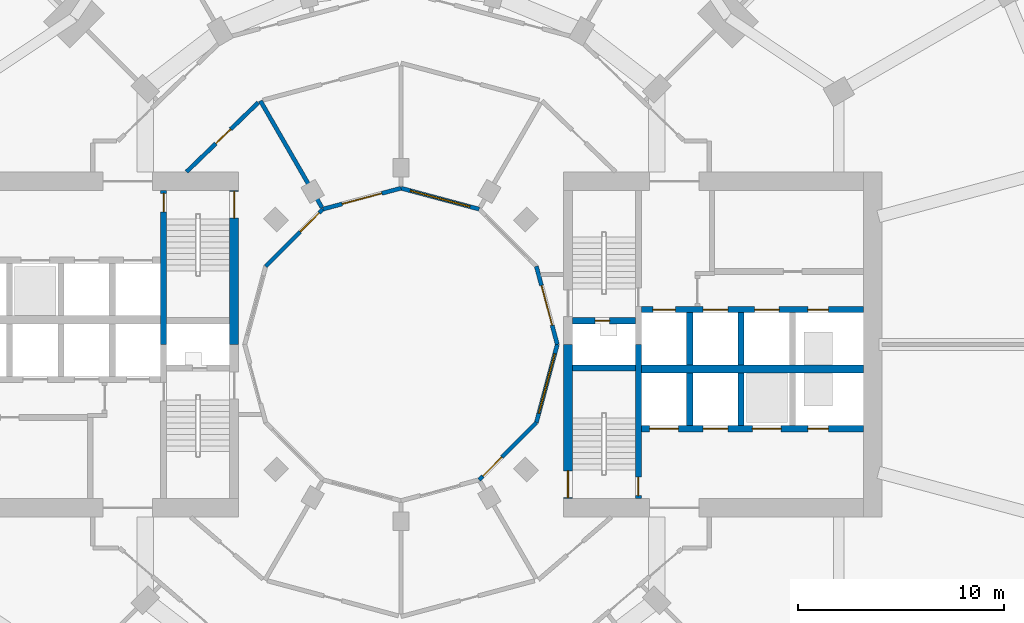
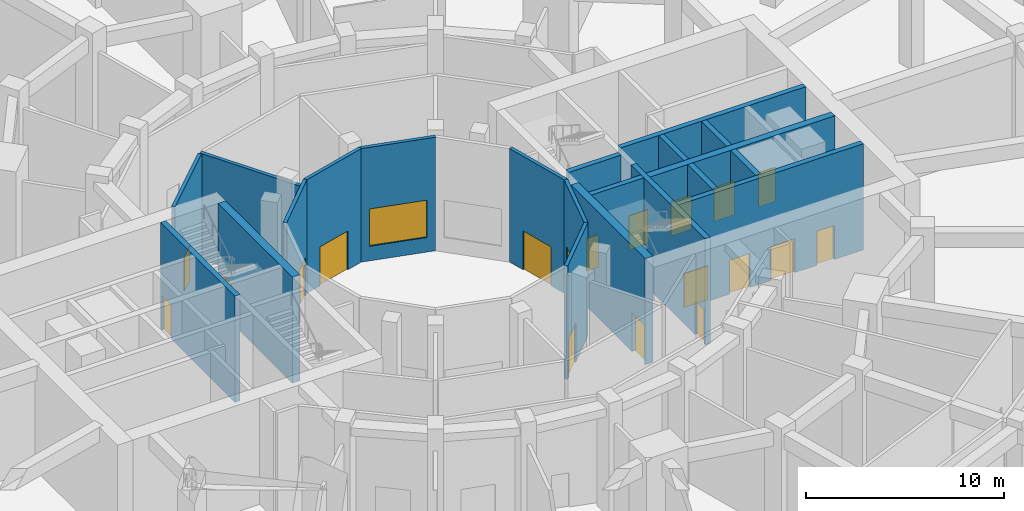
# One storey, part 26 of 31: 21 walls, 18 doors, 2 windows, 20 openings.
"""IFC4 building model written with IfcOpenShell, lengths in metres."""

from ifc_helpers import new_model, si_unit, direction, frame, frame_2d, origin, place, context, subcontext, project, spatial, rectangle, extrude, material, layer, layer_set, type_object, element, fill, save


model = new_model("IFC4")

# Units and contexts
model_context = context("Model", 3, precision=1e-05, world=origin(), true_north=direction((0.0, 1.0)))
body_context = subcontext(model_context, "Body", "Model", "MODEL_VIEW")
ifc_project = project(units=[si_unit("LENGTHUNIT", "METRE"), si_unit("AREAUNIT", "SQUARE_METRE"), si_unit("VOLUMEUNIT", "CUBIC_METRE"), si_unit("PLANEANGLEUNIT", "RADIAN"), si_unit("MASSUNIT", "GRAM", prefix="KILO")], contexts=[model_context])

# Site, building, storey
site_placement = place(None, origin())
site = spatial("IfcSite", under=ifc_project, at=site_placement, CompositionType="ELEMENT")
building_placement = place(site_placement, origin())
building = spatial("IfcBuilding", under=site, at=building_placement, Name="Torre Brocal", CompositionType="ELEMENT")
storey_placement = place(building_placement, origin())
storey = spatial("IfcBuildingStorey", under=building, at=storey_placement, Name="L00", CompositionType="ELEMENT", Elevation=0.0)

# Wall, opening, door
ifc_material_1 = material(Name="Concrete C80", Category="concrete")
ifc_layer_1 = layer(ifc_material_1, 0.300048828125)
ifc_layer_set_1 = layer_set([ifc_layer_1], Name="Concrete C80")
wall_type_1 = type_object("IfcWallType", Name="CORE WALL 300 C80 UNDER 450 SLAB", PredefinedType="SHEAR", material=ifc_layer_set_1)
wall_1_placement = place(storey_placement, frame((91.550048828125, 67.5, 0.0), z_axis=(0.0, 0.0, 1.0), x_axis=(0.0, 1.0, 0.0)))
wall_1 = element("IfcWall", 1, at=wall_1_placement, inside=storey, type_object=wall_type_1, Name="Wall CW300-80-S450", PredefinedType="SHEAR", context=body_context, shape_type="SweptSolid", body=[
    extrude(rectangle(XDim=7.5, YDim=0.300048828125, at=frame_2d((3.75, 0.0))), origin(), (0.0, 0.0, 1.0), 6.550048828125),
])
opening_1_placement = place(wall_1_placement, frame((0.14990234375, 0.0, 0.0)))
opening_1 = element("IfcOpeningElement", 2, at=opening_1_placement, cuts=wall_1, Name="Opening E-D03", PredefinedType="OPENING", context=body_context, shape_type="SweptSolid", body=[
    extrude(rectangle(XDim=0.89990234375, YDim=2.10009765625, at=frame_2d((0.449951171875, 1.050048828125))), frame((0.0, 0.159912109375, 0.0), z_axis=(0.0, -1.0, 0.0), x_axis=(1.0, 0.0, 0.0)), (0.0, 0.0, 1.0), 0.320068359375),
])
ifc_material_2 = material(Name="Steel A653", Category="steel")
door_type_1 = type_object("IfcDoorType", Name="STAIR DOOR FD120 900X2100", OperationType="SINGLE_SWING_RIGHT", PredefinedType="DOOR", material=ifc_material_2)
door_1_placement = place(opening_1_placement, origin())
door_1 = element("IfcDoor", 3, at=door_1_placement, inside=storey, type_object=door_type_1, Name="Door E-D03", OperationType="SINGLE_SWING_LEFT", OverallHeight=2.10009765625, OverallWidth=0.89990234375, PredefinedType="DOOR", context=body_context, shape_type="SweptSolid", body=[
    extrude(rectangle(XDim=0.89990234375, YDim=2.10009765625, at=frame_2d((0.449951171875, 1.050048828125))), frame((0.0, 0.02490234375, 0.0), z_axis=(0.0, -1.0, 0.0), x_axis=(1.0, 0.0, 0.0)), (0.0, 0.0, 1.0), 0.050048828125),
])
fill(opening_1, door_1)

wall_2_placement = place(storey_placement, frame((88.35009765625, 76.14990234375, 0.0), z_axis=(0.0, 0.0, 1.0), x_axis=(1.0, 0.0, 0.0)))
wall_2 = element("IfcWall", 4, at=wall_2_placement, inside=storey, type_object=wall_type_1, Name="Wall CW300-80-S450", PredefinedType="SHEAR", context=body_context, shape_type="SweptSolid", body=[
    extrude(rectangle(XDim=3.0498046875, YDim=0.300048828125, at=frame_2d((1.52490234375, 0.0))), origin(), (0.0, 0.0, 1.0), 6.550048828125),
])
opening_2_placement = place(wall_2_placement, frame((1.10009765625, 0.0, 0.0)))
opening_2 = element("IfcOpeningElement", 5, at=opening_2_placement, cuts=wall_2, Name="Opening E-D01", PredefinedType="OPENING", context=body_context, shape_type="SweptSolid", body=[
    extrude(rectangle(XDim=0.699951171875, YDim=2.0, at=frame_2d((0.35009765625, 1.0))), frame((0.0, 0.159912109375, 0.0), z_axis=(0.0, -1.0, 0.0), x_axis=(1.0, 0.0, 0.0)), (0.0, 0.0, 1.0), 0.320068359375),
])
ifc_material_3 = material(Name="Steel A653", Category="steel")
door_type_2 = type_object("IfcDoorType", Name="RISER DOOR FD120 700X2000", OperationType="SINGLE_SWING_LEFT", PredefinedType="DOOR", material=ifc_material_3)
door_2_placement = place(opening_2_placement, frame((0.699951171875, 0.0, 0.0), z_axis=(0.0, 0.0, 1.0), x_axis=(-1.0, 0.0, 0.0)))
door_2 = element("IfcDoor", 6, at=door_2_placement, inside=storey, type_object=door_type_2, Name="Door E-D01", OperationType="SINGLE_SWING_RIGHT", OverallHeight=2.0, OverallWidth=0.699951171875, PredefinedType="DOOR", context=body_context, shape_type="SweptSolid", body=[
    extrude(rectangle(XDim=0.699951171875, YDim=2.0, at=frame_2d((0.35009765625, 1.0))), frame((0.0, 0.02490234375, 0.0), z_axis=(0.0, -1.0, 0.0), x_axis=(1.0, 0.0, 0.0)), (0.0, 0.0, 1.0), 0.050048828125),
])
fill(opening_2, door_2)

# Wall
wall_3_placement = place(storey_placement, frame((88.35009765625, 73.85009765625, 0.0), z_axis=(0.0, 0.0, 1.0), x_axis=(1.0, 0.0, 0.0)))
element("IfcWall", 7, at=wall_3_placement, inside=storey, type_object=wall_type_1, Name="Wall CW300-80-S450", PredefinedType="SHEAR", context=body_context, shape_type="SweptSolid", body=[
    extrude(rectangle(XDim=3.0498046875, YDim=0.300048828125, at=frame_2d((1.52490234375, 0.0))), origin(), (0.0, 0.0, 1.0), 6.550048828125),
])

# Wall, openings, doors
wall_4_placement = place(storey_placement, frame((91.699951171875, 76.699951171875, 0.0), z_axis=(0.0, 0.0, 1.0), x_axis=(1.0, 0.0, 0.0)))
wall_4 = element("IfcWall", 8, at=wall_4_placement, inside=storey, type_object=wall_type_1, Name="Wall CW300-80-S450", PredefinedType="SHEAR", context=body_context, shape_type="SweptSolid", body=[
    extrude(rectangle(XDim=10.800048828125, YDim=0.300048828125, at=frame_2d((5.39990234375, 0.0))), origin(), (0.0, 0.0, 1.0), 6.550048828125),
])
opening_3_placement = place(wall_4_placement, frame((0.550048828125, 0.0, 0.0)))
opening_3 = element("IfcOpeningElement", 9, at=opening_3_placement, cuts=wall_4, Name="Opening LD", PredefinedType="OPENING", context=body_context, shape_type="SweptSolid", body=[
    extrude(rectangle(XDim=1.10009765625, YDim=2.10009765625, at=frame_2d((0.550048828125, 1.050048828125))), frame((0.0, 0.159912109375, 0.0), z_axis=(0.0, -1.0, 0.0), x_axis=(1.0, 0.0, 0.0)), (0.0, 0.0, 1.0), 0.320068359375),
])
opening_4_placement = place(wall_4_placement, frame((3.0, 0.0, 0.0)))
opening_4 = element("IfcOpeningElement", 10, at=opening_4_placement, cuts=wall_4, Name="Opening LD12", PredefinedType="OPENING", context=body_context, shape_type="SweptSolid", body=[
    extrude(rectangle(XDim=1.199951171875, YDim=2.10009765625, at=frame_2d((0.60009765625, 1.050048828125))), frame((0.0, 0.159912109375, 0.0), z_axis=(0.0, -1.0, 0.0), x_axis=(1.0, 0.0, 0.0)), (0.0, 0.0, 1.0), 0.320068359375),
])
opening_5_placement = place(wall_4_placement, frame((5.5, 0.0, 0.0)))
opening_5 = element("IfcOpeningElement", 11, at=opening_5_placement, cuts=wall_4, Name="Opening LD12", PredefinedType="OPENING", context=body_context, shape_type="SweptSolid", body=[
    extrude(rectangle(XDim=1.199951171875, YDim=2.10009765625, at=frame_2d((0.60009765625, 1.050048828125))), frame((0.0, 0.159912109375, 0.0), z_axis=(0.0, -1.0, 0.0), x_axis=(1.0, 0.0, 0.0)), (0.0, 0.0, 1.0), 0.320068359375),
])
opening_6_placement = place(wall_4_placement, frame((8.10009765625, 0.0, 0.0)))
opening_6 = element("IfcOpeningElement", 12, at=opening_6_placement, cuts=wall_4, Name="Opening LD10", PredefinedType="OPENING", context=body_context, shape_type="SweptSolid", body=[
    extrude(rectangle(XDim=1.0, YDim=2.10009765625, at=frame_2d((0.5, 1.050048828125))), frame((0.0, 0.159912109375, 0.0), z_axis=(0.0, -1.0, 0.0), x_axis=(1.0, 0.0, 0.0)), (0.0, 0.0, 1.0), 0.320068359375),
])
ifc_material_4 = material(Name="Stainless steel AISI 316", Category="steel")
door_type_3 = type_object("IfcDoorType", Name="LIFT LANDING DOOR 1000X2100", OperationType="DOUBLE_DOOR_SLIDING", PredefinedType="DOOR", material=ifc_material_4)
door_3_placement = place(opening_6_placement, origin())
door_3 = element("IfcDoor", 13, at=door_3_placement, inside=storey, type_object=door_type_3, Name="Door LD10", OperationType="DOUBLE_DOOR_SLIDING", OverallHeight=2.10009765625, OverallWidth=1.0, PredefinedType="DOOR", context=body_context, shape_type="SweptSolid", body=[
    extrude(rectangle(XDim=1.0, YDim=2.10009765625, at=frame_2d((0.5, 1.050048828125))), frame((0.0, 0.02490234375, 0.0), z_axis=(0.0, -1.0, 0.0), x_axis=(1.0, 0.0, 0.0)), (0.0, 0.0, 1.0), 0.050048828125),
])
fill(opening_6, door_3)
ifc_material_5 = material(Name="Stainless steel AISI 316", Category="steel")
door_type_4 = type_object("IfcDoorType", Name="LIFT LANDING DOOR 1100X2100", OperationType="DOUBLE_DOOR_SLIDING", PredefinedType="DOOR", material=ifc_material_5)
door_4_placement = place(opening_3_placement, origin())
door_4 = element("IfcDoor", 14, at=door_4_placement, inside=storey, type_object=door_type_4, Name="Door LD", OperationType="DOUBLE_DOOR_SLIDING", OverallHeight=2.10009765625, OverallWidth=1.10009765625, PredefinedType="DOOR", context=body_context, shape_type="SweptSolid", body=[
    extrude(rectangle(XDim=1.10009765625, YDim=2.10009765625, at=frame_2d((0.550048828125, 1.050048828125))), frame((0.0, 0.02490234375, 0.0), z_axis=(0.0, -1.0, 0.0), x_axis=(1.0, 0.0, 0.0)), (0.0, 0.0, 1.0), 0.050048828125),
])
fill(opening_3, door_4)
ifc_material_6 = material(Name="Stainless steel AISI 316", Category="steel")
door_type_5 = type_object("IfcDoorType", Name="LIFT LANDING DOOR 1200X2100", OperationType="DOUBLE_DOOR_SLIDING", PredefinedType="DOOR", material=ifc_material_6)
door_5_placement = place(opening_4_placement, origin())
door_5 = element("IfcDoor", 15, at=door_5_placement, inside=storey, type_object=door_type_5, Name="Door LD12", OperationType="DOUBLE_DOOR_SLIDING", OverallHeight=2.10009765625, OverallWidth=1.199951171875, PredefinedType="DOOR", context=body_context, shape_type="SweptSolid", body=[
    extrude(rectangle(XDim=1.199951171875, YDim=2.10009765625, at=frame_2d((0.60009765625, 1.050048828125))), frame((0.0, 0.02490234375, 0.0), z_axis=(0.0, -1.0, 0.0), x_axis=(1.0, 0.0, 0.0)), (0.0, 0.0, 1.0), 0.050048828125),
])
fill(opening_4, door_5)
door_6_placement = place(opening_5_placement, origin())
door_6 = element("IfcDoor", 16, at=door_6_placement, inside=storey, type_object=door_type_5, Name="Door LD12", OperationType="DOUBLE_DOOR_SLIDING", OverallHeight=2.10009765625, OverallWidth=1.199951171875, PredefinedType="DOOR", context=body_context, shape_type="SweptSolid", body=[
    extrude(rectangle(XDim=1.199951171875, YDim=2.10009765625, at=frame_2d((0.60009765625, 1.050048828125))), frame((0.0, 0.02490234375, 0.0), z_axis=(0.0, -1.0, 0.0), x_axis=(1.0, 0.0, 0.0)), (0.0, 0.0, 1.0), 0.050048828125),
])
fill(opening_5, door_6)

wall_5_placement = place(storey_placement, frame((91.699951171875, 70.89990234375, 0.0), z_axis=(0.0, 0.0, 1.0), x_axis=(1.0, 0.0, 0.0)))
wall_5 = element("IfcWall", 17, at=wall_5_placement, inside=storey, type_object=wall_type_1, Name="Wall CW300-80-S450", PredefinedType="SHEAR", context=body_context, shape_type="SweptSolid", body=[
    extrude(rectangle(XDim=10.800048828125, YDim=0.300048828125, at=frame_2d((5.39990234375, 0.0))), origin(), (0.0, 0.0, 1.0), 6.550048828125),
])
opening_7_placement = place(wall_5_placement, frame((0.39990234375, 0.0, 0.0)))
opening_7 = element("IfcOpeningElement", 18, at=opening_7_placement, cuts=wall_5, Name="Opening LD14", PredefinedType="OPENING", context=body_context, shape_type="SweptSolid", body=[
    extrude(rectangle(XDim=1.39990234375, YDim=2.10009765625, at=frame_2d((0.699951171875, 1.050048828125))), frame((0.0, 0.159912109375, 0.0), z_axis=(0.0, -1.0, 0.0), x_axis=(1.0, 0.0, 0.0)), (0.0, 0.0, 1.0), 0.320068359375),
])
opening_8_placement = place(wall_5_placement, frame((3.0, 0.0, 0.0)))
opening_8 = element("IfcOpeningElement", 19, at=opening_8_placement, cuts=wall_5, Name="Opening LD12", PredefinedType="OPENING", context=body_context, shape_type="SweptSolid", body=[
    extrude(rectangle(XDim=1.199951171875, YDim=2.10009765625, at=frame_2d((0.60009765625, 1.050048828125))), frame((0.0, 0.159912109375, 0.0), z_axis=(0.0, -1.0, 0.0), x_axis=(1.0, 0.0, 0.0)), (0.0, 0.0, 1.0), 0.320068359375),
])
opening_9_placement = place(wall_5_placement, frame((5.39990234375, 0.0, 0.0)))
opening_9 = element("IfcOpeningElement", 20, at=opening_9_placement, cuts=wall_5, Name="Opening LD14", PredefinedType="OPENING", context=body_context, shape_type="SweptSolid", body=[
    extrude(rectangle(XDim=1.39990234375, YDim=2.10009765625, at=frame_2d((0.699951171875, 1.050048828125))), frame((0.0, 0.159912109375, 0.0), z_axis=(0.0, -1.0, 0.0), x_axis=(1.0, 0.0, 0.0)), (0.0, 0.0, 1.0), 0.320068359375),
])
opening_10_placement = place(wall_5_placement, frame((8.10009765625, 0.0, 0.0)))
opening_10 = element("IfcOpeningElement", 21, at=opening_10_placement, cuts=wall_5, Name="Opening LD10", PredefinedType="OPENING", context=body_context, shape_type="SweptSolid", body=[
    extrude(rectangle(XDim=1.0, YDim=2.10009765625, at=frame_2d((0.5, 1.050048828125))), frame((0.0, 0.159912109375, 0.0), z_axis=(0.0, -1.0, 0.0), x_axis=(1.0, 0.0, 0.0)), (0.0, 0.0, 1.0), 0.320068359375),
])
door_7_placement = place(opening_10_placement, origin())
door_7 = element("IfcDoor", 22, at=door_7_placement, inside=storey, type_object=door_type_3, Name="Door LD10", OperationType="DOUBLE_DOOR_SLIDING", OverallHeight=2.10009765625, OverallWidth=1.0, PredefinedType="DOOR", context=body_context, shape_type="SweptSolid", body=[
    extrude(rectangle(XDim=1.0, YDim=2.10009765625, at=frame_2d((0.5, 1.050048828125))), frame((0.0, 0.02490234375, 0.0), z_axis=(0.0, -1.0, 0.0), x_axis=(1.0, 0.0, 0.0)), (0.0, 0.0, 1.0), 0.050048828125),
])
fill(opening_10, door_7)
door_8_placement = place(opening_8_placement, origin())
door_8 = element("IfcDoor", 23, at=door_8_placement, inside=storey, type_object=door_type_5, Name="Door LD12", OperationType="DOUBLE_DOOR_SLIDING", OverallHeight=2.10009765625, OverallWidth=1.199951171875, PredefinedType="DOOR", context=body_context, shape_type="SweptSolid", body=[
    extrude(rectangle(XDim=1.199951171875, YDim=2.10009765625, at=frame_2d((0.60009765625, 1.050048828125))), frame((0.0, 0.02490234375, 0.0), z_axis=(0.0, -1.0, 0.0), x_axis=(1.0, 0.0, 0.0)), (0.0, 0.0, 1.0), 0.050048828125),
])
fill(opening_8, door_8)
ifc_material_7 = material(Name="Stainless steel AISI 316", Category="steel")
door_type_6 = type_object("IfcDoorType", Name="LIFT LANDING DOOR 1400X2100", OperationType="DOUBLE_DOOR_SLIDING", PredefinedType="DOOR", material=ifc_material_7)
door_9_placement = place(opening_7_placement, origin())
door_9 = element("IfcDoor", 24, at=door_9_placement, inside=storey, type_object=door_type_6, Name="Door LD14", OperationType="DOUBLE_DOOR_SLIDING", OverallHeight=2.10009765625, OverallWidth=1.39990234375, PredefinedType="DOOR", context=body_context, shape_type="SweptSolid", body=[
    extrude(rectangle(XDim=1.39990234375, YDim=2.10009765625, at=frame_2d((0.699951171875, 1.050048828125))), frame((0.0, 0.02490234375, 0.0), z_axis=(0.0, -1.0, 0.0), x_axis=(1.0, 0.0, 0.0)), (0.0, 0.0, 1.0), 0.050048828125),
])
fill(opening_7, door_9)
door_10_placement = place(opening_9_placement, origin())
door_10 = element("IfcDoor", 25, at=door_10_placement, inside=storey, type_object=door_type_6, Name="Door LD14", OperationType="DOUBLE_DOOR_SLIDING", OverallHeight=2.10009765625, OverallWidth=1.39990234375, PredefinedType="DOOR", context=body_context, shape_type="SweptSolid", body=[
    extrude(rectangle(XDim=1.39990234375, YDim=2.10009765625, at=frame_2d((0.699951171875, 1.050048828125))), frame((0.0, 0.02490234375, 0.0), z_axis=(0.0, -1.0, 0.0), x_axis=(1.0, 0.0, 0.0)), (0.0, 0.0, 1.0), 0.050048828125),
])
fill(opening_9, door_10)

# Walls
for number, where, z_axis, x_axis, name in (
    (26, (94.050048828125, 74.0, 0.0), (0.0, 0.0, 1.0), (0.0, 1.0, 0.0), "Wall CW300-80-S450"),
    (27, (96.550048828125, 74.0, 0.0), (0.0, 0.0, 1.0), (0.0, 1.0, 0.0), "Wall CW300-80-S450"),
    (28, (94.050048828125, 71.050048828125, 0.0), (0.0, 0.0, 1.0), (0.0, 1.0, 0.0), "Wall CW300-80-S450"),
    (29, (96.550048828125, 71.050048828125, 0.0), (0.0, 0.0, 1.0), (0.0, 1.0, 0.0), "Wall CW300-80-S450"),
):
    element("IfcWall", number, at=place(storey_placement, frame(where, z_axis=z_axis, x_axis=x_axis)), inside=storey, type_object=wall_type_1, Name=name, PredefinedType="SHEAR", context=body_context, shape_type="SweptSolid", body=[
        extrude(rectangle(XDim=2.550048828125, YDim=0.300048828125, at=frame_2d((1.27490234375, 0.0))), origin(), (0.0, 0.0, 1.0), 6.550048828125),
    ])

# Wall, opening, door
wall_6_placement = place(storey_placement, frame((68.449951171875, 82.5, 0.0), z_axis=(0.0, 0.0, 1.0), x_axis=(0.0, -1.0, 0.0)))
wall_6 = element("IfcWall", 30, at=wall_6_placement, inside=storey, type_object=wall_type_1, Name="Wall CW300-80-S450", PredefinedType="SHEAR", context=body_context, shape_type="SweptSolid", body=[
    extrude(rectangle(XDim=7.5, YDim=0.300048828125, at=frame_2d((3.75, 0.0))), origin(), (0.0, 0.0, 1.0), 6.550048828125),
])
opening_11_placement = place(wall_6_placement, frame((0.14990234375, 0.0, 0.0)))
opening_11 = element("IfcOpeningElement", 31, at=opening_11_placement, cuts=wall_6, Name="Opening W-D03", PredefinedType="OPENING", context=body_context, shape_type="SweptSolid", body=[
    extrude(rectangle(XDim=0.89990234375, YDim=2.10009765625, at=frame_2d((0.449951171875, 1.050048828125))), frame((0.0, 0.159912109375, 0.0), z_axis=(0.0, -1.0, 0.0), x_axis=(1.0, 0.0, 0.0)), (0.0, 0.0, 1.0), 0.320068359375),
])
door_11_placement = place(opening_11_placement, origin())
door_11 = element("IfcDoor", 32, at=door_11_placement, inside=storey, type_object=door_type_1, Name="Door W-D03", OperationType="SINGLE_SWING_LEFT", OverallHeight=2.10009765625, OverallWidth=0.89990234375, PredefinedType="DOOR", context=body_context, shape_type="SweptSolid", body=[
    extrude(rectangle(XDim=0.89990234375, YDim=2.10009765625, at=frame_2d((0.449951171875, 1.050048828125))), frame((0.0, 0.02490234375, 0.0), z_axis=(0.0, -1.0, 0.0), x_axis=(1.0, 0.0, 0.0)), (0.0, 0.0, 1.0), 0.050048828125),
])
fill(opening_11, door_11)

# Wall
ifc_material_8 = material(Name="Concrete C80", Category="concrete")
ifc_layer_2 = layer(ifc_material_8, 0.39990234375)
ifc_layer_set_2 = layer_set([ifc_layer_2], Name="Concrete C80")
wall_type_2 = type_object("IfcWallType", Name="CORE WALL 400 C80 UNDER 450 SLAB", PredefinedType="SHEAR", material=ifc_layer_set_2)
wall_7_placement = place(storey_placement, frame((91.699951171875, 73.800048828125, 0.0), z_axis=(0.0, 0.0, 1.0), x_axis=(1.0, 0.0, 0.0)))
element("IfcWall", 33, at=wall_7_placement, inside=storey, type_object=wall_type_2, Name="Wall CW400-80-S450", PredefinedType="SHEAR", context=body_context, shape_type="SweptSolid", body=[
    extrude(rectangle(XDim=10.800048828125, YDim=0.39990234375, at=frame_2d((5.39990234375, 0.0))), origin(), (0.0, 0.0, 1.0), 6.550048828125),
])

# Wall, opening, door
ifc_material_9 = material(Name="Concrete C80", Category="concrete")
ifc_layer_3 = layer(ifc_material_9, 0.449951171875)
ifc_layer_set_3 = layer_set([ifc_layer_3], Name="Concrete C80")
wall_type_3 = type_object("IfcWallType", Name="CORE WALL 450 C80 UNDER 450 SLAB", PredefinedType="SHEAR", material=ifc_layer_set_3)
wall_8_placement = place(storey_placement, frame((88.125, 67.5, 0.0), z_axis=(0.0, 0.0, 1.0), x_axis=(0.0, 1.0, 0.0)))
wall_8 = element("IfcWall", 34, at=wall_8_placement, inside=storey, type_object=wall_type_3, Name="Wall CW450-80-S450", PredefinedType="SHEAR", context=body_context, shape_type="SweptSolid", body=[
    extrude(rectangle(XDim=7.5, YDim=0.449951171875, at=frame_2d((3.75, 0.0))), origin(), (0.0, 0.0, 1.0), 6.550048828125),
])
opening_12_placement = place(wall_8_placement, frame((0.050048828125, 0.0, 0.0)))
opening_12 = element("IfcOpeningElement", 35, at=opening_12_placement, cuts=wall_8, Name="Opening E-D18", PredefinedType="OPENING", context=body_context, shape_type="SweptSolid", body=[
    extrude(rectangle(XDim=1.300048828125, YDim=2.39990234375, at=frame_2d((0.64990234375, 1.199951171875))), frame((0.0, 0.23486328125, 0.0), z_axis=(0.0, -1.0, 0.0), x_axis=(1.0, 0.0, 0.0)), (0.0, 0.0, 1.0), 0.469970703125),
])
ifc_material_10 = material(Name="Steel A653", Category="steel")
door_type_7 = type_object("IfcDoorType", Name="STAIR EXIT DOOR FD120 1300X2400", OperationType="DOUBLE_DOOR_SINGLE_SWING", PredefinedType="DOOR", material=ifc_material_10)
door_12_placement = place(opening_12_placement, frame((1.300048828125, 0.0, 0.0), z_axis=(0.0, 0.0, 1.0), x_axis=(-1.0, 0.0, 0.0)))
door_12 = element("IfcDoor", 36, at=door_12_placement, inside=storey, type_object=door_type_7, Name="Door E-D18", OperationType="DOUBLE_DOOR_SINGLE_SWING", OverallHeight=2.39990234375, OverallWidth=1.300048828125, PredefinedType="DOOR", context=body_context, shape_type="SweptSolid", body=[
    extrude(rectangle(XDim=1.300048828125, YDim=2.39990234375, at=frame_2d((0.64990234375, 1.199951171875))), frame((0.0, 0.02490234375, 0.0), z_axis=(0.0, -1.0, 0.0), x_axis=(1.0, 0.0, 0.0)), (0.0, 0.0, 1.0), 0.050048828125),
])
fill(opening_12, door_12)

wall_9_placement = place(storey_placement, frame((71.875, 82.5, 0.0), z_axis=(0.0, 0.0, 1.0), x_axis=(0.0, -1.0, 0.0)))
wall_9 = element("IfcWall", 37, at=wall_9_placement, inside=storey, type_object=wall_type_3, Name="Wall CW450-80-S450", PredefinedType="SHEAR", context=body_context, shape_type="SweptSolid", body=[
    extrude(rectangle(XDim=7.5, YDim=0.449951171875, at=frame_2d((3.75, 0.0))), origin(), (0.0, 0.0, 1.0), 6.550048828125),
])
opening_13_placement = place(wall_9_placement, frame((0.050048828125, 0.0, 0.0)))
opening_13 = element("IfcOpeningElement", 38, at=opening_13_placement, cuts=wall_9, Name="Opening W-D18", PredefinedType="OPENING", context=body_context, shape_type="SweptSolid", body=[
    extrude(rectangle(XDim=1.300048828125, YDim=2.39990234375, at=frame_2d((0.64990234375, 1.199951171875))), frame((0.0, 0.23486328125, 0.0), z_axis=(0.0, -1.0, 0.0), x_axis=(1.0, 0.0, 0.0)), (0.0, 0.0, 1.0), 0.469970703125),
])
door_13_placement = place(opening_13_placement, frame((1.300048828125, 0.0, 0.0), z_axis=(0.0, 0.0, 1.0), x_axis=(-1.0, 0.0, 0.0)))
door_13 = element("IfcDoor", 39, at=door_13_placement, inside=storey, type_object=door_type_7, Name="Door W-D18", OperationType="DOUBLE_DOOR_SINGLE_SWING", OverallHeight=2.39990234375, OverallWidth=1.300048828125, PredefinedType="DOOR", context=body_context, shape_type="SweptSolid", body=[
    extrude(rectangle(XDim=1.300048828125, YDim=2.39990234375, at=frame_2d((0.64990234375, 1.199951171875))), frame((0.0, 0.02490234375, 0.0), z_axis=(0.0, -1.0, 0.0), x_axis=(1.0, 0.0, 0.0)), (0.0, 0.0, 1.0), 0.050048828125),
])
fill(opening_13, door_13)

ifc_material_11 = material(Name="Gypsum board", Category="Gypsum")
ifc_layer_4 = layer(ifc_material_11, 0.199951171875)
ifc_layer_set_4 = layer_set([ifc_layer_4], Name="Gypsum board")
wall_type_4 = type_object("IfcWallType", Name="PARTITION 200 EI60", PredefinedType="PARTITIONING", material=ifc_layer_set_4)
wall_10_placement = place(storey_placement, frame((69.56298828125, 83.39990234375, 0.0), z_axis=(0.0, 0.0, 1.0), x_axis=(0.719454254864, 0.694539829785, 0.0)))
wall_10 = element("IfcWall", 40, at=wall_10_placement, inside=storey, type_object=wall_type_4, Name="CORRIDOR WALL", PredefinedType="PARTITIONING", context=body_context, shape_type="SweptSolid", body=[
    extrude(rectangle(XDim=4.8603515625, YDim=0.199951171875, at=frame_2d((2.43017578125, 0.0))), origin(), (0.0, 0.0, 1.0), 6.550048828125),
])
opening_14_placement = place(wall_10_placement, frame((1.985107421875, 0.0, 0.0)))
opening_14 = element("IfcOpeningElement", 41, at=opening_14_placement, cuts=wall_10, Name="Opening PD0-D13", PredefinedType="OPENING", context=body_context, shape_type="SweptSolid", body=[
    extrude(rectangle(XDim=1.0, YDim=2.10009765625, at=frame_2d((0.5, 1.050048828125))), frame((0.0, 0.10986328125, 0.0), z_axis=(0.0, -1.0, 0.0), x_axis=(1.0, 0.0, 0.0)), (0.0, 0.0, 1.0), 0.219970703125),
])
ifc_material_12 = material(Name="Steel A653", Category="steel")
door_type_8 = type_object("IfcDoorType", Name="FIRE DOOR FD60 1000X2100", OperationType="SINGLE_SWING_RIGHT", PredefinedType="DOOR", material=ifc_material_12)
door_14_placement = place(opening_14_placement, frame((1.0, 0.0, 0.0), z_axis=(0.0, 0.0, 1.0), x_axis=(-1.0, 0.0, 0.0)))
door_14 = element("IfcDoor", 42, at=door_14_placement, inside=storey, type_object=door_type_8, Name="PD0-D13", OperationType="SINGLE_SWING_RIGHT", OverallHeight=2.10009765625, OverallWidth=1.0, PredefinedType="DOOR", context=body_context, shape_type="SweptSolid", body=[
    extrude(rectangle(XDim=1.0, YDim=2.10009765625, at=frame_2d((0.5, 1.050048828125))), frame((0.0, 0.02490234375, 0.0), z_axis=(0.0, -1.0, 0.0), x_axis=(1.0, 0.0, 0.0)), (0.0, 0.0, 1.0), 0.050048828125),
])
fill(opening_14, door_14)

# Wall
wall_11_placement = place(storey_placement, frame((73.156005859375, 86.8564453125, 0.0), z_axis=(0.0, 0.0, 1.0), x_axis=(0.49984238301, -0.866116384874, 0.0)))
element("IfcWall", 43, at=wall_11_placement, inside=storey, type_object=wall_type_4, Name="PARTY PARTITION", PredefinedType="PARTITIONING", context=body_context, shape_type="SweptSolid", body=[
    extrude(rectangle(XDim=5.99169921875, YDim=0.199951171875, at=frame_2d((2.995849609375, 0.0))), origin(), (0.0, 0.0, 1.0), 6.550048828125),
])

# Wall, opening, door
ifc_material_13 = material(Name="Concrete C40", Category="concrete")
ifc_layer_5 = layer(ifc_material_13, 0.199951171875)
ifc_layer_set_5 = layer_set([ifc_layer_5], Name="Concrete C40")
wall_type_5 = type_object("IfcWallType", Name="WELL FACADE WALL 200", PredefinedType="NOTDEFINED", material=ifc_layer_set_5)
wall_12_placement = place(storey_placement, frame((87.603515625, 75.0, 0.0), z_axis=(0.0, 0.0, 1.0), x_axis=(-0.258789828301, 0.965933654434, 0.0)))
wall_12 = element("IfcWall", 44, at=wall_12_placement, inside=storey, type_object=wall_type_5, Name="WELL FACADE WALL", PredefinedType="NOTDEFINED", context=body_context, shape_type="SweptSolid", body=[
    extrude(rectangle(XDim=3.935791015625, YDim=0.199951171875, at=frame_2d((1.9677734375, 0.0))), origin(), (0.0, 0.0, 1.0), 7.0),
])
opening_15_placement = place(wall_12_placement, frame((0.968017578125, 0.0, 0.0)))
opening_15 = element("IfcOpeningElement", 45, at=opening_15_placement, cuts=wall_12, Name="Opening L00-E13", PredefinedType="OPENING", context=body_context, shape_type="SweptSolid", body=[
    extrude(rectangle(XDim=2.0, YDim=2.39990234375, at=frame_2d((1.0, 1.199951171875))), frame((0.0, 0.10986328125, 0.0), z_axis=(0.0, -1.0, 0.0), x_axis=(1.0, 0.0, 0.0)), (0.0, 0.0, 1.0), 0.219970703125),
])
ifc_material_14 = material(Name="Aluminium and glass", Category="aluminium")
door_type_9 = type_object("IfcDoorType", Name="COURT DOOR 2000X2400", OperationType="DOUBLE_DOOR_SINGLE_SWING", PredefinedType="DOOR", material=ifc_material_14)
door_15_placement = place(opening_15_placement, origin())
door_15 = element("IfcDoor", 46, at=door_15_placement, inside=storey, type_object=door_type_9, Name="DOOR L00-E13", OperationType="DOUBLE_DOOR_SINGLE_SWING", OverallHeight=2.39990234375, OverallWidth=2.0, PredefinedType="DOOR", context=body_context, shape_type="SweptSolid", body=[
    extrude(rectangle(XDim=2.0, YDim=2.39990234375, at=frame_2d((1.0, 1.199951171875))), frame((0.0, 0.02490234375, 0.0), z_axis=(0.0, -1.0, 0.0), x_axis=(1.0, 0.0, 0.0)), (0.0, 0.0, 1.0), 0.050048828125),
])
fill(opening_15, door_15)

# Wall, opening, window
wall_13_placement = place(storey_placement, frame((83.8017578125, 81.5849609375, 0.0), z_axis=(0.0, 0.0, 1.0), x_axis=(-0.965933654434, 0.258789828301, 0.0)))
wall_13 = element("IfcWall", 47, at=wall_13_placement, inside=storey, type_object=wall_type_5, Name="WELL FACADE WALL", PredefinedType="NOTDEFINED", context=body_context, shape_type="SweptSolid", body=[
    extrude(rectangle(XDim=3.935791015625, YDim=0.199951171875, at=frame_2d((1.9677734375, 0.0))), origin(), (0.0, 0.0, 1.0), 7.0),
])
opening_16_placement = place(wall_13_placement, frame((0.468017578125, 0.0, 0.89990234375)))
opening_16 = element("IfcOpeningElement", 48, at=opening_16_placement, cuts=wall_13, Name="Opening W1", PredefinedType="OPENING", context=body_context, shape_type="SweptSolid", body=[
    extrude(rectangle(XDim=3.0, YDim=2.300048828125, at=frame_2d((1.5, 1.14990234375))), frame((0.0, 0.10986328125, 0.0), z_axis=(0.0, -1.0, 0.0), x_axis=(1.0, 0.0, 0.0)), (0.0, 0.0, 1.0), 0.219970703125),
])
ifc_material_15 = material(Name="Aluminium and glass", Category="aluminium")
window_type = type_object("IfcWindowType", Name="WELL WINDOW 3000X2300", PartitioningType="SINGLE_PANEL", PredefinedType="WINDOW", material=ifc_material_15)
window_1_placement = place(opening_16_placement, origin())
window_1 = element("IfcWindow", 49, at=window_1_placement, inside=storey, type_object=window_type, Name="WELL WINDOW 3000X2300", OverallHeight=2.300048828125, OverallWidth=3.0, PartitioningType="SINGLE_PANEL", PredefinedType="WINDOW", context=body_context, shape_type="SweptSolid", body=[
    extrude(rectangle(XDim=3.0, YDim=2.300048828125, at=frame_2d((1.5, 1.14990234375))), frame((0.0, 0.030029296875, 0.0), z_axis=(0.0, -1.0, 0.0), x_axis=(1.0, 0.0, 0.0)), (0.0, 0.0, 1.0), 0.06005859375),
])
fill(opening_16, window_1)

# Wall, opening, door
wall_14_placement = place(storey_placement, frame((80.0, 82.603515625, 0.0), z_axis=(0.0, 0.0, 1.0), x_axis=(-0.965933654434, -0.258789828301, 0.0)))
wall_14 = element("IfcWall", 50, at=wall_14_placement, inside=storey, type_object=wall_type_5, Name="WELL FACADE WALL", PredefinedType="NOTDEFINED", context=body_context, shape_type="SweptSolid", body=[
    extrude(rectangle(XDim=3.935791015625, YDim=0.199951171875, at=frame_2d((1.9677734375, 0.0))), origin(), (0.0, 0.0, 1.0), 7.0),
])
opening_17_placement = place(wall_14_placement, frame((0.968017578125, 0.0, 0.0)))
opening_17 = element("IfcOpeningElement", 51, at=opening_17_placement, cuts=wall_14, Name="Opening L00-E14", PredefinedType="OPENING", context=body_context, shape_type="SweptSolid", body=[
    extrude(rectangle(XDim=2.0, YDim=2.39990234375, at=frame_2d((1.0, 1.199951171875))), frame((0.0, 0.10986328125, 0.0), z_axis=(0.0, -1.0, 0.0), x_axis=(1.0, 0.0, 0.0)), (0.0, 0.0, 1.0), 0.219970703125),
])
door_16_placement = place(opening_17_placement, origin())
door_16 = element("IfcDoor", 52, at=door_16_placement, inside=storey, type_object=door_type_9, Name="DOOR L00-E14", OperationType="DOUBLE_DOOR_SINGLE_SWING", OverallHeight=2.39990234375, OverallWidth=2.0, PredefinedType="DOOR", context=body_context, shape_type="SweptSolid", body=[
    extrude(rectangle(XDim=2.0, YDim=2.39990234375, at=frame_2d((1.0, 1.199951171875))), frame((0.0, 0.02490234375, 0.0), z_axis=(0.0, -1.0, 0.0), x_axis=(1.0, 0.0, 0.0)), (0.0, 0.0, 1.0), 0.050048828125),
])
fill(opening_17, door_16)

# Wall, opening, window
wall_15_placement = place(storey_placement, frame((86.5849609375, 71.1982421875, 0.0), z_axis=(0.0, 0.0, 1.0), x_axis=(0.258789828301, 0.965933654434, 0.0)))
wall_15 = element("IfcWall", 53, at=wall_15_placement, inside=storey, type_object=wall_type_5, Name="WELL FACADE WALL", PredefinedType="NOTDEFINED", context=body_context, shape_type="SweptSolid", body=[
    extrude(rectangle(XDim=3.935791015625, YDim=0.199951171875, at=frame_2d((1.9677734375, 0.0))), origin(), (0.0, 0.0, 1.0), 7.0),
])
opening_18_placement = place(wall_15_placement, frame((0.468017578125, 0.0, 0.89990234375)))
opening_18 = element("IfcOpeningElement", 54, at=opening_18_placement, cuts=wall_15, Name="Opening W1", PredefinedType="OPENING", context=body_context, shape_type="SweptSolid", body=[
    extrude(rectangle(XDim=3.0, YDim=2.300048828125, at=frame_2d((1.5, 1.14990234375))), frame((0.0, 0.10986328125, 0.0), z_axis=(0.0, -1.0, 0.0), x_axis=(1.0, 0.0, 0.0)), (0.0, 0.0, 1.0), 0.219970703125),
])
window_2_placement = place(opening_18_placement, origin())
window_2 = element("IfcWindow", 55, at=window_2_placement, inside=storey, type_object=window_type, Name="WELL WINDOW 3000X2300", OverallHeight=2.300048828125, OverallWidth=3.0, PartitioningType="SINGLE_PANEL", PredefinedType="WINDOW", context=body_context, shape_type="SweptSolid", body=[
    extrude(rectangle(XDim=3.0, YDim=2.300048828125, at=frame_2d((1.5, 1.14990234375))), frame((0.0, 0.030029296875, 0.0), z_axis=(0.0, -1.0, 0.0), x_axis=(1.0, 0.0, 0.0)), (0.0, 0.0, 1.0), 0.06005859375),
])
fill(opening_18, window_2)

# Wall, opening, door
wall_16_placement = place(storey_placement, frame((76.1982421875, 81.5849609375, 0.0), z_axis=(0.0, 0.0, 1.0), x_axis=(-0.707106781187, -0.707106781187, 0.0)))
wall_16 = element("IfcWall", 56, at=wall_16_placement, inside=storey, type_object=wall_type_5, Name="WELL FACADE WALL", PredefinedType="NOTDEFINED", context=body_context, shape_type="SweptSolid", body=[
    extrude(rectangle(XDim=3.93603515625, YDim=0.199951171875, at=frame_2d((1.968017578125, 0.0))), origin(), (0.0, 0.0, 1.0), 7.0),
])
opening_19_placement = place(wall_16_placement, frame((0.260009765625, 0.0, 0.0)))
opening_19 = element("IfcOpeningElement", 57, at=opening_19_placement, cuts=wall_16, Name="Opening L00-E17", PredefinedType="OPENING", context=body_context, shape_type="SweptSolid", body=[
    extrude(rectangle(XDim=1.300048828125, YDim=2.39990234375, at=frame_2d((0.64990234375, 1.199951171875))), frame((0.0, 0.10986328125, 0.0), z_axis=(0.0, -1.0, 0.0), x_axis=(1.0, 0.0, 0.0)), (0.0, 0.0, 1.0), 0.219970703125),
])
ifc_material_16 = material(Name="Aluminium and glass", Category="aluminium")
door_type_10 = type_object("IfcDoorType", Name="COURT DOOR 1300X2400", OperationType="DOUBLE_DOOR_SINGLE_SWING", PredefinedType="DOOR", material=ifc_material_16)
door_17_placement = place(opening_19_placement, origin())
door_17 = element("IfcDoor", 58, at=door_17_placement, inside=storey, type_object=door_type_10, Name="DOOR L00-E17", OperationType="DOUBLE_DOOR_SINGLE_SWING", OverallHeight=2.39990234375, OverallWidth=1.300048828125, PredefinedType="DOOR", context=body_context, shape_type="SweptSolid", body=[
    extrude(rectangle(XDim=1.300048828125, YDim=2.39990234375, at=frame_2d((0.64990234375, 1.199951171875))), frame((0.0, 0.02490234375, 0.0), z_axis=(0.0, -1.0, 0.0), x_axis=(1.0, 0.0, 0.0)), (0.0, 0.0, 1.0), 0.050048828125),
])
fill(opening_19, door_17)

wall_17_placement = place(storey_placement, frame((83.8017578125, 68.4150390625, 0.0), z_axis=(0.0, 0.0, 1.0), x_axis=(0.707106781187, 0.707106781187, 0.0)))
wall_17 = element("IfcWall", 59, at=wall_17_placement, inside=storey, type_object=wall_type_5, Name="WELL FACADE WALL", PredefinedType="NOTDEFINED", context=body_context, shape_type="SweptSolid", body=[
    extrude(rectangle(XDim=3.93603515625, YDim=0.199951171875, at=frame_2d((1.968017578125, 0.0))), origin(), (0.0, 0.0, 1.0), 7.0),
])
opening_20_placement = place(wall_17_placement, frame((0.260009765625, 0.0, 0.0)))
opening_20 = element("IfcOpeningElement", 60, at=opening_20_placement, cuts=wall_17, Name="Opening L00-E18", PredefinedType="OPENING", context=body_context, shape_type="SweptSolid", body=[
    extrude(rectangle(XDim=1.300048828125, YDim=2.39990234375, at=frame_2d((0.64990234375, 1.199951171875))), frame((0.0, 0.10986328125, 0.0), z_axis=(0.0, -1.0, 0.0), x_axis=(1.0, 0.0, 0.0)), (0.0, 0.0, 1.0), 0.219970703125),
])
door_18_placement = place(opening_20_placement, origin())
door_18 = element("IfcDoor", 61, at=door_18_placement, inside=storey, type_object=door_type_10, Name="DOOR L00-E18", OperationType="DOUBLE_DOOR_SINGLE_SWING", OverallHeight=2.39990234375, OverallWidth=1.300048828125, PredefinedType="DOOR", context=body_context, shape_type="SweptSolid", body=[
    extrude(rectangle(XDim=1.300048828125, YDim=2.39990234375, at=frame_2d((0.64990234375, 1.199951171875))), frame((0.0, 0.02490234375, 0.0), z_axis=(0.0, -1.0, 0.0), x_axis=(1.0, 0.0, 0.0)), (0.0, 0.0, 1.0), 0.050048828125),
])
fill(opening_20, door_18)

save(model, "model.ifc")
